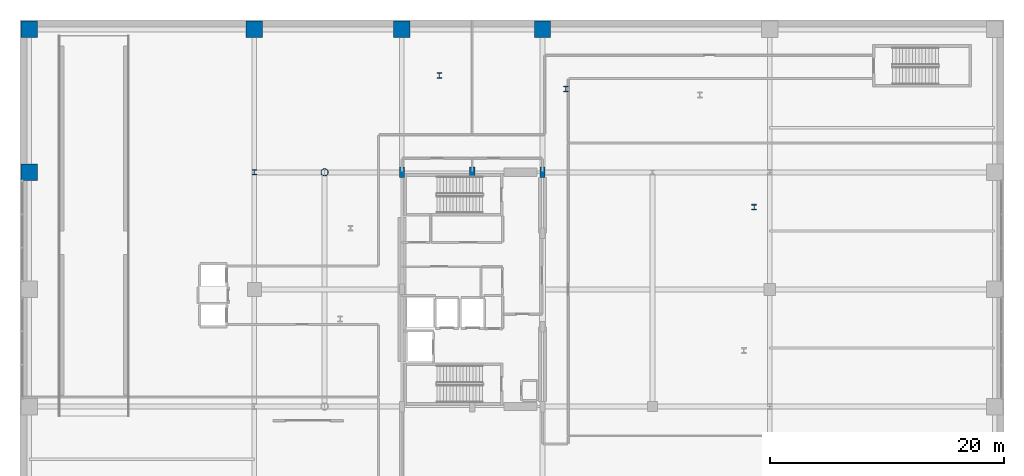
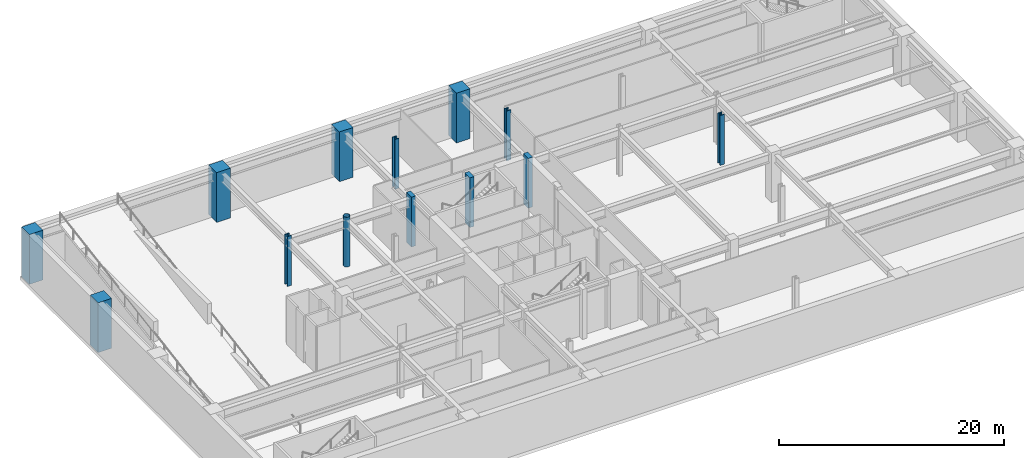
# One storey, part 2 of 25: 13 columns.
"""IFC4 building model written with IfcOpenShell, lengths in metres."""

from ifc_helpers import new_model, si_unit, direction, frame, origin, origin_2d, place, context, subcontext, project, spatial, rectangle, hollow_circle, i_section, extrude, material, material_profile, profile_set, type_object, element, save


model = new_model("IFC4")

# Units and contexts
model_context = context("Model", 3, precision=1e-05, world=origin(), true_north=direction((0.0, 1.0)))
body_context = subcontext(model_context, "Body", "Model", "MODEL_VIEW")
ifc_project = project(units=[si_unit("LENGTHUNIT", "METRE"), si_unit("AREAUNIT", "SQUARE_METRE"), si_unit("VOLUMEUNIT", "CUBIC_METRE"), si_unit("PLANEANGLEUNIT", "RADIAN"), si_unit("MASSUNIT", "GRAM", prefix="KILO")], contexts=[model_context])

# Site, building, storey
site_placement = place(None, origin())
site = spatial("IfcSite", under=ifc_project, at=site_placement, CompositionType="ELEMENT")
building_placement = place(site_placement, origin())
building = spatial("IfcBuilding", under=site, at=building_placement, Name="Soratama Intermodal Tower", CompositionType="ELEMENT")
storey_placement = place(building_placement, frame((0.0, 0.0, -5.39990234375)))
storey = spatial("IfcBuildingStorey", under=building, at=storey_placement, Name="B1", CompositionType="ELEMENT", Elevation=-5.39990234375)

# Columns
ifc_material_1 = material(Name="Concrete f'c 56 MPa", Category="concrete")
ifc_material_profile_1 = material_profile(ifc_material_1, rectangle(XDim=1.39990234375, YDim=1.39990234375, at=origin_2d()), Name="RC1400X1400")
ifc_profile_set_1 = profile_set([ifc_material_profile_1], Name="Concrete f'c 56 MPa")
column_type_1 = type_object("IfcColumnType", Name="COL-POD-EXT-RC1400", PredefinedType="COLUMN", material=ifc_profile_set_1)
for number, where, z_axis, x_axis, name in (
    (1, (0.800048828125, 35.0, 0.0), (0.0, 0.0, 1.0), (1.0, 0.0, 0.0), "B1 Station Column P09"),
    (2, (0.800048828125, 47.199951171875, 0.0), (0.0, 0.0, 1.0), (1.0, 0.0, 0.0), "B1 Station Column P13"),
    (3, (20.0, 47.199951171875, 0.0), (0.0, 0.0, 1.0), (1.0, 0.0, 0.0), "B1 Station Column P14"),
    (4, (32.60009765625, 47.199951171875, 0.0), (0.0, 0.0, 1.0), (1.0, 0.0, 0.0), "B1 Station Column P23"),
    (5, (44.60009765625, 47.199951171875, 0.0), (0.0, 0.0, 1.0), (1.0, 0.0, 0.0), "B1 Station Column P24"),
):
    element("IfcColumn", number, at=place(storey_placement, frame(where, z_axis=z_axis, x_axis=x_axis)), inside=storey, type_object=column_type_1, Name=name, PredefinedType="COLUMN", context=body_context, shape_type="SweptSolid", body=[
        extrude(rectangle(XDim=1.39990234375, YDim=1.39990234375, at=origin_2d()), origin(), (0.0, 0.0, 1.0), 5.39990234375),
    ])
ifc_material_2 = material(Name="Structural steel ASTM A992 Grade 50", Category="steel")
ifc_material_profile_2 = material_profile(ifc_material_2, i_section(OverallWidth=0.431884765625, OverallDepth=0.498046875, WebThickness=0.0556640625, FlangeThickness=0.0888671875, FilletRadius=0.0380859375, at=origin_2d()), Name="W14X500")
ifc_profile_set_2 = profile_set([ifc_material_profile_2], Name="Structural steel ASTM A992 Grade 50")
column_type_2 = type_object("IfcColumnType", Name="COL-POD-W14X500", PredefinedType="COLUMN", material=ifc_profile_set_2)
for number, where, z_axis, x_axis, name in (
    (6, (20.0, 35.0, 0.0), (0.0, 0.0, 1.0), (1.0, 0.0, 0.0), "B1 Station Column P10"),
    (7, (62.6689453125, 32.02490234375, 0.0), (0.0, 0.0, 1.0), (1.0, 0.0, 0.0), "B1 Station Column P29"),
    (8, (46.60107421875, 42.116943359375, 0.0), (0.0, 0.0, 1.0), (1.0, 0.0, 0.0), "B1 Station Column P31"),
    (9, (35.7958984375, 43.264892578125, 0.0), (0.0, 0.0, 1.0), (1.0, 0.0, 0.0), "B1 Station Column P32"),
):
    element("IfcColumn", number, at=place(storey_placement, frame(where, z_axis=z_axis, x_axis=x_axis)), inside=storey, type_object=column_type_2, Name=name, PredefinedType="COLUMN", context=body_context, shape_type="SweptSolid", body=[
        extrude(i_section(OverallWidth=0.431884765625, OverallDepth=0.498046875, WebThickness=0.0556640625, FlangeThickness=0.0888671875, FilletRadius=0.0380859375, at=origin_2d()), origin(), (0.0, 0.0, 1.0), 5.39990234375),
    ])
ifc_material_3 = material(Name="Structural steel ASTM A500 Grade C", Category="steel")
ifc_material_profile_3 = material_profile(ifc_material_3, hollow_circle(Radius=0.304931640625, WallThickness=0.02197265625, at=origin_2d()), Name="CHS610X22")
ifc_profile_set_3 = profile_set([ifc_material_profile_3], Name="Structural steel ASTM A500 Grade C")
column_type_3 = type_object("IfcColumnType", Name="COL-POOL-CHS610", PredefinedType="COLUMN", material=ifc_profile_set_3)
column_placement = place(storey_placement, frame((26.0, 35.0, 0.0), z_axis=(0.0, 0.0, 1.0), x_axis=(1.0, 0.0, 0.0)))
element("IfcColumn", 10, at=column_placement, inside=storey, type_object=column_type_3, Name="B1 Station Column P28", PredefinedType="COLUMN", context=body_context, shape_type="SweptSolid", body=[
    extrude(hollow_circle(Radius=0.304931640625, WallThickness=0.02197265625, at=origin_2d()), origin(), (0.0, 0.0, 1.0), 5.39990234375),
])
ifc_material_4 = material(Name="Concrete f'c 56 MPa", Category="concrete")
ifc_material_profile_4 = material_profile(ifc_material_4, rectangle(XDim=0.449951171875, YDim=0.89990234375, at=origin_2d()), Name="RC450X900")
ifc_profile_set_4 = profile_set([ifc_material_profile_4], Name="Concrete f'c 56 MPa")
column_type_4 = type_object("IfcColumnType", Name="PIL-CORE-450X900", PredefinedType="PILASTER", material=ifc_profile_set_4)
for number, where, z_axis, x_axis, name in (
    (11, (32.60009765625, 35.0, 0.0), (0.0, 0.0, 1.0), (1.0, 0.0, 0.0), "B1 Core Pilaster 3"),
    (12, (38.60009765625, 35.0, 0.0), (0.0, 0.0, 1.0), (1.0, 0.0, 0.0), "B1 Core Pilaster 5"),
    (13, (44.60009765625, 35.0, 0.0), (0.0, 0.0, 1.0), (1.0, 0.0, 0.0), "B1 Core Pilaster 9"),
):
    element("IfcColumn", number, at=place(storey_placement, frame(where, z_axis=z_axis, x_axis=x_axis)), inside=storey, type_object=column_type_4, Name=name, PredefinedType="PILASTER", context=body_context, shape_type="SweptSolid", body=[
        extrude(rectangle(XDim=0.449951171875, YDim=0.89990234375, at=origin_2d()), origin(), (0.0, 0.0, 1.0), 5.39990234375),
    ])

save(model, "model.ifc")
